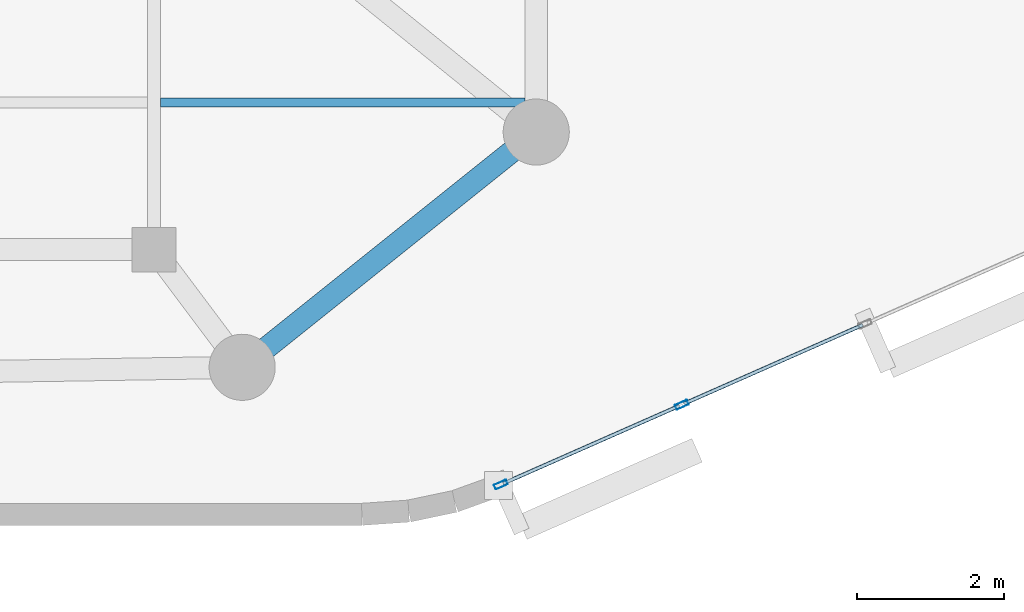
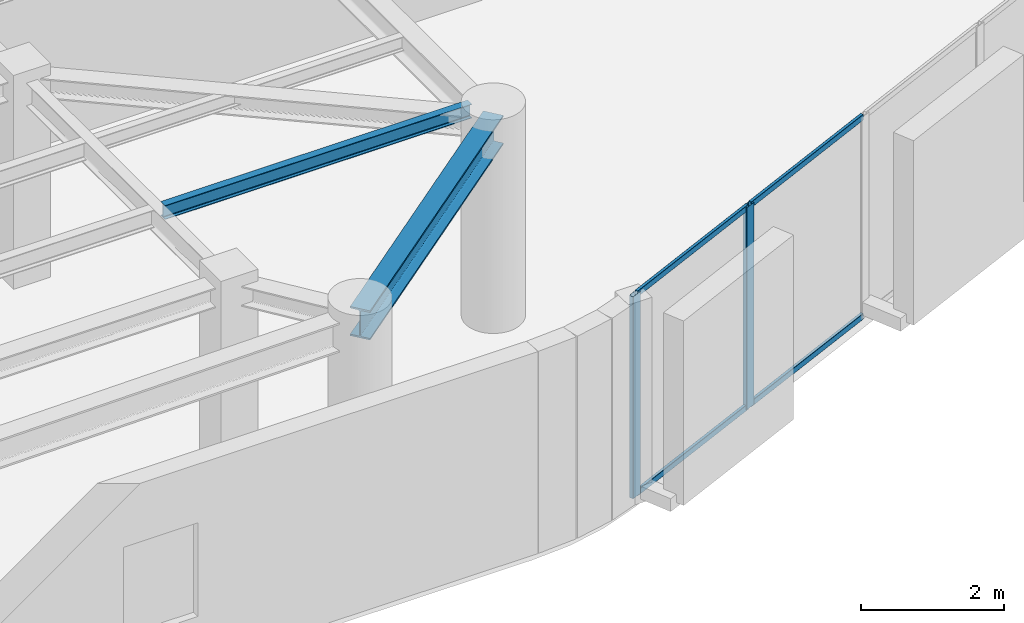
# One storey, part 2 of 13: 6 members, 2 beams, 1 element without a shape of its own.
"""IFC4 building model written with IfcOpenShell, lengths in metres."""

from ifc_helpers import new_model, si_unit, direction, frame, origin, origin_2d, place, context, subcontext, project, spatial, hollow_rectangle, i_section, extrude, material, layer, layer_set, material_profile, profile_set, type_object, element, aggregate, save


model = new_model("IFC4")

# Units and contexts
model_context = context("Model", 3, precision=1e-05, world=origin(), true_north=direction((0.0, 1.0)))
body_context = subcontext(model_context, "Body", "Model", "MODEL_VIEW")
ifc_project = project(units=[si_unit("LENGTHUNIT", "METRE"), si_unit("AREAUNIT", "SQUARE_METRE"), si_unit("VOLUMEUNIT", "CUBIC_METRE"), si_unit("PLANEANGLEUNIT", "RADIAN"), si_unit("MASSUNIT", "GRAM", prefix="KILO")], contexts=[model_context])

# Site, building, storey
site_placement = place(None, origin())
site = spatial("IfcSite", under=ifc_project, at=site_placement, CompositionType="ELEMENT")
building_placement = place(site_placement, origin())
building = spatial("IfcBuilding", under=site, at=building_placement, Name="An Khanh Terracotta Commons", CompositionType="ELEMENT")
storey_placement = place(building_placement, frame((0.0, 0.0, 277.050048828125)))
storey = spatial("IfcBuildingStorey", under=building, at=storey_placement, Name="L72", CompositionType="ELEMENT", Elevation=277.050048828125)

# Beams
ifc_material_1 = material(Name="Steel S355J2", Category="steel")
ifc_material_profile_1 = material_profile(ifc_material_1, i_section(OverallWidth=0.300048828125, OverallDepth=0.5, WebThickness=0.014404296875, FlangeThickness=0.028076171875, FilletRadius=0.027099609375, at=origin_2d()), Name="HEB500")
ifc_profile_set_1 = profile_set([ifc_material_profile_1], Name="Steel S355J2")
beam_type_1 = type_object("IfcBeamType", Name="BM-HEB500", PredefinedType="BEAM", material=ifc_profile_set_1)
beam_1_placement = place(storey_placement, frame((59.39990234375, 12.800048828125, 3.199951171875), z_axis=(0.780873459249, 0.624689235253, 0.0), x_axis=(-0.624689235253, 0.780873459249, 0.0)))
element("IfcBeam", 1, at=beam_1_placement, inside=storey, type_object=beam_type_1, Name="L72 Perimeter Ring Spandrel 2", PredefinedType="BEAM", context=body_context, shape_type="SweptSolid", body=[
    extrude(i_section(OverallWidth=0.300048828125, OverallDepth=0.5, WebThickness=0.014404296875, FlangeThickness=0.028076171875, FilletRadius=0.027099609375, at=origin_2d()), origin(), (0.0, 0.0, 1.0), 5.12255859375),
])
ifc_material_profile_2 = material_profile(ifc_material_1, i_section(OverallWidth=0.1201171875, OverallDepth=0.239990234375, WebThickness=0.006103515625, FlangeThickness=0.009765625, FilletRadius=0.014892578125, at=origin_2d()), Name="IPE240")
ifc_profile_set_2 = profile_set([ifc_material_profile_2], Name="Steel S355J2")
beam_type_2 = type_object("IfcBeamType", Name="BM-IPE240", PredefinedType="JOIST", material=ifc_profile_set_2)
beam_2_placement = place(storey_placement, frame((58.2900390625, 16.39990234375, 3.329833984375), z_axis=(1.0, 0.0, 0.0), x_axis=(0.0, 1.0, 0.0)))
element("IfcBeam", 2, at=beam_2_placement, inside=storey, type_object=beam_type_2, Name="L72 Riverfront Composite Joist 1", PredefinedType="JOIST", context=body_context, shape_type="SweptSolid", body=[
    extrude(i_section(OverallWidth=0.1201171875, OverallDepth=0.239990234375, WebThickness=0.006103515625, FlangeThickness=0.009765625, FilletRadius=0.014892578125, at=origin_2d()), origin(), (0.0, 0.0, 1.0), 4.9599609375),
])

# Curtain wall, members
ifc_material_2 = material(Name="Anodised Aluminium 6063-T6", Category="aluminium")
ifc_layer = layer(ifc_material_2, 0.2099609375, Name="Anodised Aluminium 6063-T6")
ifc_layer_set = layer_set([ifc_layer], Name="Anodised Aluminium 6063-T6")
curtain_wall_type = type_object("IfcCurtainWallType", Name="CW-SYS-03", PredefinedType="USERDEFINED", material=ifc_layer_set)
curtain_wall_placement = place(storey_placement, origin())
curtain_wall = element("IfcCurtainWall", 3, at=curtain_wall_placement, inside=storey, type_object=curtain_wall_type, Name="L72 CW-03 Unitised Curtain Wall CW-L72-08", ObjectType="UNITISED CURTAIN WALL", PredefinedType="USERDEFINED")
ifc_material_profile_3 = material_profile(ifc_material_2, hollow_rectangle(XDim=0.070068359375, YDim=0.179931640625, WallThickness=0.00390625, InnerFilletRadius=0.00390625, OuterFilletRadius=0.008056640625, at=origin_2d()), Name="RHS180x70x4")
ifc_profile_set_3 = profile_set([ifc_material_profile_3], Name="Anodised Aluminium 6063-T6")
member_type_1 = type_object("IfcMemberType", Name="CWM-RHS180x70x4", PredefinedType="MULLION", material=ifc_profile_set_3)
member_1_placement = place(storey_placement, frame((62.9189453125, 11.205078125, 0.0), z_axis=(0.0, 0.0, 1.0), x_axis=(-0.403676354285, 0.914901853201, 0.0)))
member_1 = element("IfcMember", 4, at=member_1_placement, type_object=member_type_1, Name="CW-03 mullion 1", PredefinedType="MULLION", context=body_context, shape_type="SweptSolid", body=[
    extrude(hollow_rectangle(XDim=0.070068359375, YDim=0.179931640625, WallThickness=0.00390625, InnerFilletRadius=0.00390625, OuterFilletRadius=0.008056640625, at=origin_2d()), origin(), (0.0, 0.0, 1.0), 3.449951171875),
])
member_2_placement = place(storey_placement, frame((65.37939453125, 12.290771484375, 0.0), z_axis=(0.0, 0.0, 1.0), x_axis=(-0.403676354285, 0.914901853201, 0.0)))
member_2 = element("IfcMember", 5, at=member_2_placement, type_object=member_type_1, Name="CW-03 mullion 2", PredefinedType="MULLION", context=body_context, shape_type="SweptSolid", body=[
    extrude(hollow_rectangle(XDim=0.070068359375, YDim=0.179931640625, WallThickness=0.00390625, InnerFilletRadius=0.00390625, OuterFilletRadius=0.008056640625, at=origin_2d()), origin(), (0.0, 0.0, 1.0), 3.449951171875),
])
ifc_material_profile_4 = material_profile(ifc_material_2, hollow_rectangle(XDim=0.050048828125, YDim=0.10009765625, WallThickness=0.003173828125, InnerFilletRadius=0.003173828125, OuterFilletRadius=0.00634765625, at=origin_2d()), Name="RHS100x50x3.2")
ifc_profile_set_4 = profile_set([ifc_material_profile_4], Name="Anodised Aluminium 6063-T6")
member_type_2 = type_object("IfcMemberType", Name="CWT-RHS100x50x3.2", PredefinedType="USERDEFINED", material=ifc_profile_set_4)
member_3_placement = place(storey_placement, frame((62.950927734375, 11.21923828125, 0.02490234375), z_axis=(0.914903627858, 0.403672332137, 0.0), x_axis=(-0.403672332137, 0.914903627858, 0.0)))
member_3 = element("IfcMember", 6, at=member_3_placement, type_object=member_type_2, Name="CW-03 transom 1.1", ObjectType="TRANSOM", PredefinedType="USERDEFINED", context=body_context, shape_type="SweptSolid", body=[
    extrude(hollow_rectangle(XDim=0.050048828125, YDim=0.10009765625, WallThickness=0.003173828125, InnerFilletRadius=0.003173828125, OuterFilletRadius=0.00634765625, at=origin_2d()), origin(), (0.0, 0.0, 1.0), 2.619384765625),
])
member_4_placement = place(storey_placement, frame((62.950927734375, 11.21923828125, 3.425048828125), z_axis=(0.914903627858, 0.403672332137, 0.0), x_axis=(-0.403672332137, 0.914903627858, 0.0)))
member_4 = element("IfcMember", 7, at=member_4_placement, type_object=member_type_2, Name="CW-03 transom 1.2", ObjectType="TRANSOM", PredefinedType="USERDEFINED", context=body_context, shape_type="SweptSolid", body=[
    extrude(hollow_rectangle(XDim=0.050048828125, YDim=0.10009765625, WallThickness=0.003173828125, InnerFilletRadius=0.003173828125, OuterFilletRadius=0.00634765625, at=origin_2d()), origin(), (0.0, 0.0, 1.0), 2.619384765625),
])
member_5_placement = place(storey_placement, frame((65.41162109375, 12.304931640625, 0.02490234375), z_axis=(0.914896820753, 0.403687759755, 0.0), x_axis=(-0.403687759755, 0.914896820753, 0.0)))
member_5 = element("IfcMember", 8, at=member_5_placement, type_object=member_type_2, Name="CW-03 transom 2.1", ObjectType="TRANSOM", PredefinedType="USERDEFINED", context=body_context, shape_type="SweptSolid", body=[
    extrude(hollow_rectangle(XDim=0.050048828125, YDim=0.10009765625, WallThickness=0.003173828125, InnerFilletRadius=0.003173828125, OuterFilletRadius=0.00634765625, at=origin_2d()), origin(), (0.0, 0.0, 1.0), 2.654296875),
])
member_6_placement = place(storey_placement, frame((65.41162109375, 12.304931640625, 3.425048828125), z_axis=(0.914896820753, 0.403687759755, 0.0), x_axis=(-0.403687759755, 0.914896820753, 0.0)))
member_6 = element("IfcMember", 9, at=member_6_placement, type_object=member_type_2, Name="CW-03 transom 2.2", ObjectType="TRANSOM", PredefinedType="USERDEFINED", context=body_context, shape_type="SweptSolid", body=[
    extrude(hollow_rectangle(XDim=0.050048828125, YDim=0.10009765625, WallThickness=0.003173828125, InnerFilletRadius=0.003173828125, OuterFilletRadius=0.00634765625, at=origin_2d()), origin(), (0.0, 0.0, 1.0), 2.654296875),
])
aggregate(curtain_wall, [member_1, member_2, member_3, member_4, member_5, member_6])

save(model, "model.ifc")
